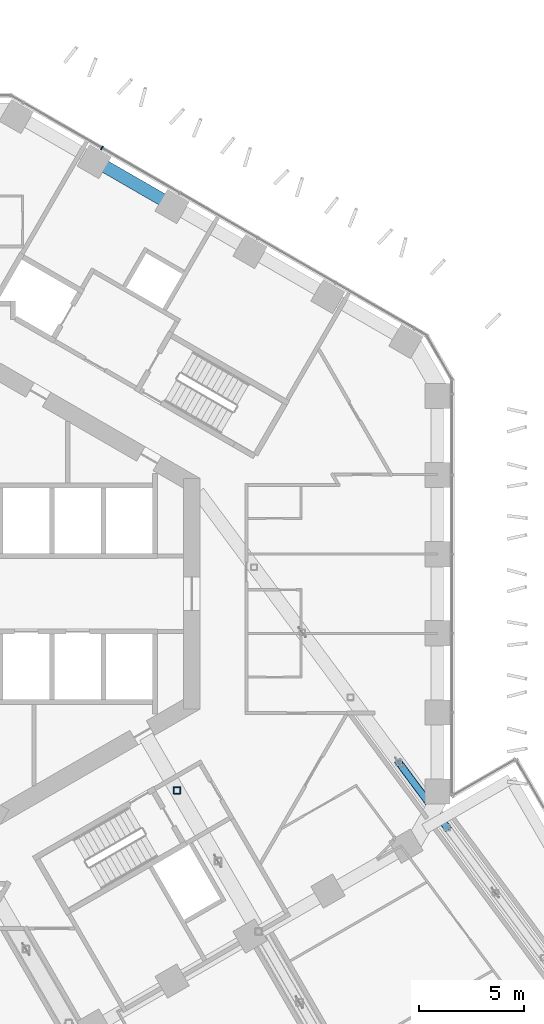
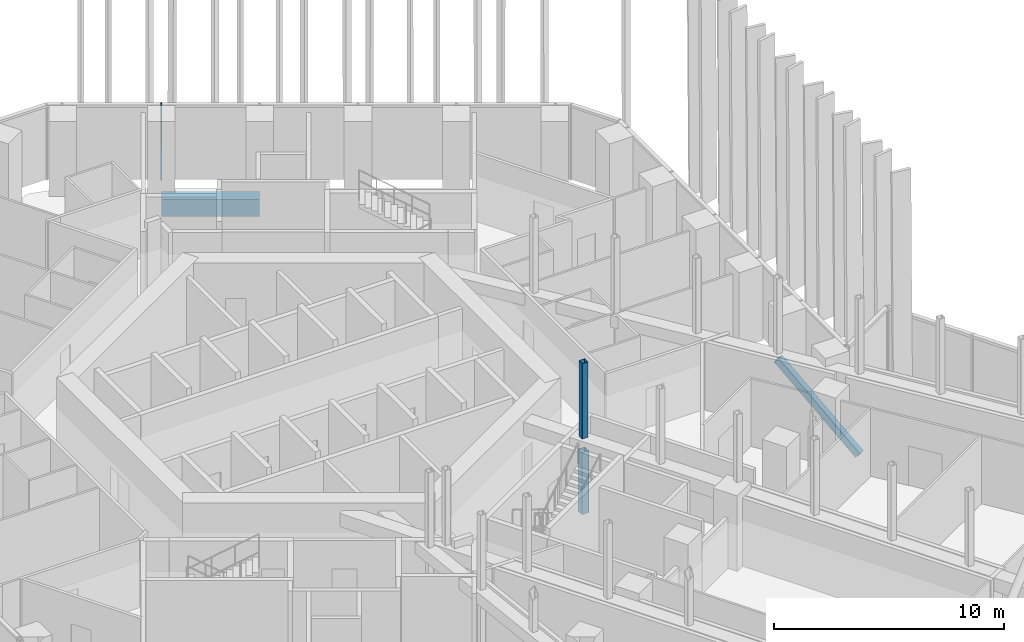
# One storey, part 8 of 29: 4 members, 1 beam, 1 element without a shape of its own.
"""IFC4 building model written with IfcOpenShell, lengths in metres."""

import ifcopenshell
import ifcopenshell.guid

model = None  # the IFC model being written
_history = None  # IfcOwnerHistory: only IFC2X3 demands one
_inside = {}  # id of a spatial element -> (the spatial element, [elements in it])
_under = {}  # id of a project, library or spatial element -> (it, [spatial elements below it])
_declared = {}  # id of a project -> (the project, [libraries it declares])
_typed = {}  # id of a type object -> (the type object, [elements of that type])
_made_of = {}  # id of a material, layer set ... -> (it, [elements and type objects made of it])


def new_model(schema):
    """Start an empty IFC model of exactly this schema.

    Asked for "IFC4X3", IfcOpenShell would pick the latest addendum, in which some entities
    have other attributes; the version numbers below select the first issue.
    IFC2X3 requires an IfcOwnerHistory on every rooted entity: one is made here for all.
    """
    global model, _history
    if schema == "IFC4X3":
        model = ifcopenshell.file(schema_version=(4, 3, 0, 0))
    else:
        model = ifcopenshell.file(schema=schema)
    _inside.clear()
    _under.clear()
    _declared.clear()
    _typed.clear()
    _made_of.clear()
    _history = None
    if model.schema == "IFC2X3":
        org = make("IfcOrganization", Name="unknown")
        user = make(
            "IfcPersonAndOrganization",
            ThePerson=make("IfcPerson", FamilyName="unknown"),
            TheOrganization=org,
        )
        app = make(
            "IfcApplication",
            ApplicationDeveloper=org,
            Version="unknown",
            ApplicationFullName="unknown",
            ApplicationIdentifier="unknown",
        )
        _history = make(
            "IfcOwnerHistory",
            OwningUser=user,
            OwningApplication=app,
            ChangeAction="ADDED",
            CreationDate=0,
        )
    return model


def make(cls, **values):
    """One entity of the class cls with the attributes given. An attribute that is None is left unset."""
    return model.create_entity(
        cls, **{name: value for name, value in values.items() if value is not None}
    )


def rooted(cls, **values):
    """An entity with a GlobalId (a new one), such as an element, a storey or a relation."""
    return make(cls, GlobalId=ifcopenshell.guid.new(), OwnerHistory=_history, **values)


def si_unit(unit_type, name, prefix=None):
    """IfcSIUnit, for example si_unit("LENGTHUNIT", "METRE", prefix="MILLI")."""
    return make("IfcSIUnit", UnitType=unit_type, Prefix=prefix, Name=name)


def assignment(units):
    """IfcUnitAssignment: the units of a project."""
    return None if units is None else make("IfcUnitAssignment", Units=units)


def point(xyz):
    """IfcCartesianPoint."""
    return None if xyz is None else make("IfcCartesianPoint", Coordinates=xyz)


def direction(xyz):
    """IfcDirection."""
    return None if xyz is None else make("IfcDirection", DirectionRatios=xyz)


def frame(location, z_axis=None, x_axis=None):
    """IfcAxis2Placement3D, a coordinate frame: its origin and axes. An axis left out is left unset."""
    return make(
        "IfcAxis2Placement3D",
        Location=point(location),
        Axis=direction(z_axis),
        RefDirection=direction(x_axis),
    )


def frame_2d(location, x_axis=None):
    """IfcAxis2Placement2D, a coordinate frame in the plane: its origin and x axis."""
    return make(
        "IfcAxis2Placement2D", Location=point(location), RefDirection=direction(x_axis)
    )


def origin():
    """The frame at (0, 0, 0) with its axes left unset."""
    return frame((0.0, 0.0, 0.0))


def origin_2d():
    """The frame at (0, 0) in the plane with its x axis left unset."""
    return frame_2d((0.0, 0.0))


def place(relative_to, where):
    """IfcLocalPlacement: puts the frame where relative to a parent placement (None: the world)."""
    return make(
        "IfcLocalPlacement", PlacementRelTo=relative_to, RelativePlacement=where
    )


def context(
    kind, dimensions, precision=None, world=None, true_north=None, identifier=None
):
    """IfcGeometricRepresentationContext, for example the 3D "Model" context."""
    return make(
        "IfcGeometricRepresentationContext",
        ContextIdentifier=identifier,
        ContextType=kind,
        CoordinateSpaceDimension=dimensions,
        Precision=precision,
        WorldCoordinateSystem=world,
        TrueNorth=true_north,
    )


def subcontext(parent, identifier, kind, view, scale=None):
    """IfcGeometricRepresentationSubContext, for example "Body" below "Model"."""
    return make(
        "IfcGeometricRepresentationSubContext",
        ContextIdentifier=identifier,
        ContextType=kind,
        ParentContext=parent,
        TargetScale=scale,
        TargetView=view,
    )


def project(units=None, contexts=None):
    """IfcProject with its units and contexts."""
    return rooted(
        "IfcProject",
        Name="project",
        RepresentationContexts=contexts,
        UnitsInContext=assignment(units),
    )


def spatial(cls, under=None, at=None, **own):
    """A site, building, storey or space (cls), placed at a placement, below another one or the project."""
    s = rooted(cls, ObjectPlacement=at, **own)
    if under is not None:
        _under.setdefault(under.id(), (under, []))[1].append(s)
    return s


def profile(cls, at=None, kind="AREA", **sizes):
    """A parametric profile (cls). Its sizes go by their IFC names, for example OverallWidth=200.0."""
    return make(cls, ProfileType=kind, Position=at, **sizes)


def rectangle(**sizes):
    """IfcRectangleProfileDef."""
    return profile("IfcRectangleProfileDef", **sizes)


def hollow_rectangle(**sizes):
    """IfcRectangleHollowProfileDef."""
    return profile("IfcRectangleHollowProfileDef", **sizes)


def extrude(swept, where, along, depth):
    """IfcExtrudedAreaSolid: the profile swept, set in the frame where, extruded along a direction by depth."""
    return make(
        "IfcExtrudedAreaSolid",
        SweptArea=swept,
        Position=where,
        ExtrudedDirection=direction(along),
        Depth=depth,
    )


def shape(context_of_items, identifier, shape_type, items):
    """IfcShapeRepresentation: the items that make up one representation, for example the "Body"."""
    return make(
        "IfcShapeRepresentation",
        ContextOfItems=context_of_items,
        RepresentationIdentifier=identifier,
        RepresentationType=shape_type,
        Items=items,
    )


def material(Name=None, Category=None):
    """IfcMaterial."""
    return make("IfcMaterial", Name=Name, Category=Category)


def layer(
    of_material, thickness, ventilated=None, Name=None, Category=None, Priority=None
):
    """IfcMaterialLayer: one layer of a wall or slab, of a material (None: an air gap)."""
    return make(
        "IfcMaterialLayer",
        Material=of_material,
        LayerThickness=thickness,
        IsVentilated=ventilated,
        Name=Name,
        Category=Category,
        Priority=Priority,
    )


def layer_set(layers, Name=None):
    """IfcMaterialLayerSet."""
    return make("IfcMaterialLayerSet", MaterialLayers=layers, LayerSetName=Name)


def material_profile(
    of_material, cross_section, Name=None, Category=None, Priority=None
):
    """IfcMaterialProfile: a cross section and its material."""
    return make(
        "IfcMaterialProfile",
        Name=Name,
        Material=of_material,
        Profile=cross_section,
        Priority=Priority,
        Category=Category,
    )


def profile_set(profiles, Name=None, composite=None):
    """IfcMaterialProfileSet."""
    return make(
        "IfcMaterialProfileSet",
        Name=Name,
        MaterialProfiles=profiles,
        CompositeProfile=composite,
    )


def made_of(thing, what):
    """Note that an element or type object is made of a material, layer set ...; save() writes the relation."""
    if what is not None:
        _made_of.setdefault(what.id(), (what, []))[1].append(thing)
    return thing


def type_object(cls, material=None, **own):
    """A type object (cls), such as IfcWallType, which elements share."""
    return made_of(rooted(cls, **own), material)


def element(
    cls,
    number,
    at=None,
    inside=None,
    cuts=None,
    type_object=None,
    material=None,
    context=None,
    identifier="Body",
    shape_type=None,
    held_by="IfcProductDefinitionShape",
    body=None,
    shapes=None,
    **own,
):
    """One element of the class cls, such as IfcWall. Its Tag is "e" and its number.

    at: its placement. inside: the storey or other place that contains it. cuts: it is an
    opening in that element (IfcRelVoidsElement). A single representation is given by context,
    identifier, shape_type and body (its items); several are given by shapes. held_by: the class
    of the entity that holds the representations. save() writes the other relations.
    """
    e = rooted(cls, Tag="e%d" % number, ObjectPlacement=at, **own)
    if body is not None:
        shapes = [shape(context, identifier, shape_type, body)]
    if shapes is not None:
        e.Representation = make(held_by, Representations=shapes)
    if inside is not None:
        _inside.setdefault(inside.id(), (inside, []))[1].append(e)
    if cuts is not None:
        rooted(
            "IfcRelVoidsElement", RelatingBuildingElement=cuts, RelatedOpeningElement=e
        )
    if type_object is not None:
        _typed.setdefault(type_object.id(), (type_object, []))[1].append(e)
    return made_of(e, material)


def aggregate(whole, parts):
    """IfcRelAggregates: a whole, such as a stair, and the parts it consists of."""
    return rooted("IfcRelAggregates", RelatingObject=whole, RelatedObjects=parts)


def save(model, path):
    """Write the relations noted so far, then the file.

    IfcRelAggregates (storeys below a building ...), IfcRelContainedInSpatialStructure (elements
    in a storey), IfcRelDefinesByType, IfcRelAssociatesMaterial and IfcRelDeclares: one each for
    every whole, place, type object, material and project.
    """
    for whole, parts in _under.values():
        aggregate(whole, parts)
    for where, things in _inside.values():
        rooted(
            "IfcRelContainedInSpatialStructure",
            RelatedElements=things,
            RelatingStructure=where,
        )
    for kind, things in _typed.values():
        rooted("IfcRelDefinesByType", RelatedObjects=things, RelatingType=kind)
    for what, things in _made_of.values():
        rooted("IfcRelAssociatesMaterial", RelatedObjects=things, RelatingMaterial=what)
    for by, libraries in _declared.values():
        rooted("IfcRelDeclares", RelatingContext=by, RelatedDefinitions=libraries)
    model.write(path)


model = new_model("IFC4")

# Units and contexts
model_context = context("Model", 3, precision=1e-05, world=origin(), true_north=direction((0.0, 1.0)))
body_context = subcontext(model_context, "Body", "Model", "MODEL_VIEW")
ifc_project = project(units=[si_unit("LENGTHUNIT", "METRE"), si_unit("AREAUNIT", "SQUARE_METRE"), si_unit("VOLUMEUNIT", "CUBIC_METRE"), si_unit("PLANEANGLEUNIT", "RADIAN"), si_unit("MASSUNIT", "GRAM", prefix="KILO")], contexts=[model_context])

# Site, building, storey
site_placement = place(None, origin())
site = spatial("IfcSite", under=ifc_project, at=site_placement, CompositionType="ELEMENT")
building_placement = place(site_placement, origin())
building = spatial("IfcBuilding", under=site, at=building_placement, Name="Ayvan Gate Tower", CompositionType="ELEMENT")
storey_placement = place(building_placement, frame((0.0, 0.0, 66.300048828125)))
storey = spatial("IfcBuildingStorey", under=building, at=storey_placement, Name="L17", CompositionType="ELEMENT", Elevation=66.300048828125)

# Members
ifc_material_1 = material(Name="Steel S460NH", Category="steel")
ifc_material_profile_1 = material_profile(ifc_material_1, hollow_rectangle(XDim=0.35009765625, YDim=0.35009765625, WallThickness=0.02001953125, InnerFilletRadius=0.02001953125, OuterFilletRadius=0.030029296875, at=origin_2d()), Name="RHS 350x350x20")
ifc_profile_set_1 = profile_set([ifc_material_profile_1], Name="Steel S460NH")
member_type_1 = type_object("IfcMemberType", Name="Sky bar end truss brace B1 RHS 350x350x20", PredefinedType="BRACE", material=ifc_profile_set_1)
member_1_placement = place(storey_placement, frame((18.947265625, -8.0244140625, 3.25), z_axis=(0.413405416417, -0.55737439103, -0.720020659357), x_axis=(0.803187953226, 0.595725701806, 0.0)))
element("IfcMember", 1, at=member_1_placement, inside=storey, type_object=member_type_1, Name="SBT1-4-D-5", PredefinedType="BRACE", context=body_context, shape_type="SweptSolid", body=[
    extrude(hollow_rectangle(XDim=0.35009765625, YDim=0.35009765625, WallThickness=0.02001953125, InnerFilletRadius=0.02001953125, OuterFilletRadius=0.030029296875, at=origin_2d()), origin(), (0.0, 0.0, 1.0), 5.555419921875),
])
ifc_material_profile_2 = material_profile(ifc_material_1, hollow_rectangle(XDim=0.35009765625, YDim=0.35009765625, WallThickness=0.01611328125, InnerFilletRadius=0.01611328125, OuterFilletRadius=0.02392578125, at=origin_2d()), Name="RHS 350x350x16")
ifc_profile_set_2 = profile_set([ifc_material_profile_2], Name="Steel S460NH")
member_type_2 = type_object("IfcMemberType", Name="Sky bar truss post B1 RHS 350x350x16", PredefinedType="POST", material=ifc_profile_set_2)
member_2_placement = place(storey_placement, frame((8.401611328125, -9.35205078125, -0.400146484375), z_axis=(0.0, 0.0, 1.0), x_axis=(1.0, 0.0, 0.0)))
element("IfcMember", 2, at=member_2_placement, inside=storey, type_object=member_type_2, Name="SBT1-3-P-1", PredefinedType="POST", context=body_context, shape_type="SweptSolid", body=[
    extrude(hollow_rectangle(XDim=0.35009765625, YDim=0.35009765625, WallThickness=0.01611328125, InnerFilletRadius=0.01611328125, OuterFilletRadius=0.02392578125, at=origin_2d()), origin(), (0.0, 0.0, 1.0), 3.300048828125),
])
ifc_material_profile_3 = material_profile(ifc_material_1, hollow_rectangle(XDim=0.300048828125, YDim=0.300048828125, WallThickness=0.01611328125, InnerFilletRadius=0.01611328125, OuterFilletRadius=0.02392578125, at=origin_2d()), Name="RHS 300x300x16")
ifc_profile_set_3 = profile_set([ifc_material_profile_3], Name="Steel S460NH")
member_type_3 = type_object("IfcMemberType", Name="Sky bar upper post B1 RHS 300x300x16", PredefinedType="POST", material=ifc_profile_set_3)
member_3_placement = place(storey_placement, frame((8.401611328125, -9.35205078125, 3.599853515625), z_axis=(0.0, 0.0, 1.0), x_axis=(1.0, 0.0, 0.0)))
element("IfcMember", 3, at=member_3_placement, inside=storey, type_object=member_type_3, Name="SBT1-3-U-1", PredefinedType="POST", context=body_context, shape_type="SweptSolid", body=[
    extrude(hollow_rectangle(XDim=0.300048828125, YDim=0.300048828125, WallThickness=0.01611328125, InnerFilletRadius=0.01611328125, OuterFilletRadius=0.02392578125, at=origin_2d()), origin(), (0.0, 0.0, 1.0), 4.0),
])

# Beam
ifc_material_2 = material(Name="Concrete C40/50", Category="concrete")
ifc_material_profile_4 = material_profile(ifc_material_2, rectangle(XDim=0.60009765625, YDim=0.89990234375, at=origin_2d()), Name="RC 600x900")
ifc_profile_set_4 = profile_set([ifc_material_profile_4], Name="Concrete C40/50")
beam_type = type_object("IfcBeamType", Name="Spandrel beam RC 600x900 C40/50", PredefinedType="BEAM", material=ifc_profile_set_4)
beam_placement = place(storey_placement, frame((8.195556640625, 18.463134765625, -0.85009765625), z_axis=(-0.86604176052, 0.499971668232, 0.0), x_axis=(-0.499971668232, -0.86604176052, 0.0)))
element("IfcBeam", 4, at=beam_placement, inside=storey, type_object=beam_type, Name="SB-L17-10", PredefinedType="BEAM", context=body_context, shape_type="SweptSolid", body=[
    extrude(rectangle(XDim=0.60009765625, YDim=0.89990234375, at=origin_2d()), origin(), (0.0, 0.0, 1.0), 4.268310546875),
])

# Curtain wall, member
ifc_material_3 = material(Name="Bronze anodised aluminium", Category="aluminium")
ifc_layer = layer(ifc_material_3, 0.199951171875)
ifc_layer_set = layer_set([ifc_layer], Name="Bronze anodised aluminium")
curtain_wall_type = type_object("IfcCurtainWallType", Name="Stick curtain wall CW-1", PredefinedType="NOTDEFINED", material=ifc_layer_set)
curtain_wall_placement = place(storey_placement, origin())
curtain_wall = element("IfcCurtainWall", 5, at=curtain_wall_placement, inside=storey, type_object=curtain_wall_type, Name="Stick curtain wall CW-1 L17", PredefinedType="NOTDEFINED")
ifc_material_profile_5 = material_profile(ifc_material_3, rectangle(XDim=0.199951171875, YDim=0.06005859375, at=origin_2d()), Name="Stick curtain wall CW-1 mullion 200 x 60")
ifc_profile_set_5 = profile_set([ifc_material_profile_5], Name="Bronze anodised aluminium")
member_type_4 = type_object("IfcMemberType", Name="Stick curtain wall CW-1 mullion 200 x 60", PredefinedType="MULLION", material=ifc_profile_set_5)
member_4_placement = place(storey_placement, frame((4.82666015625, 21.19921875, 0.0), z_axis=(0.0, 0.0, 1.0), x_axis=(0.5, 0.866025403784, 0.0)))
member_4 = element("IfcMember", 6, at=member_4_placement, type_object=member_type_4, Name="CW-1 mullion 5", PredefinedType="MULLION", context=body_context, shape_type="SweptSolid", body=[
    extrude(rectangle(XDim=0.199951171875, YDim=0.06005859375, at=origin_2d()), origin(), (0.0, 0.0, 1.0), 4.0),
])
aggregate(curtain_wall, [member_4])

save(model, "model.ifc")
